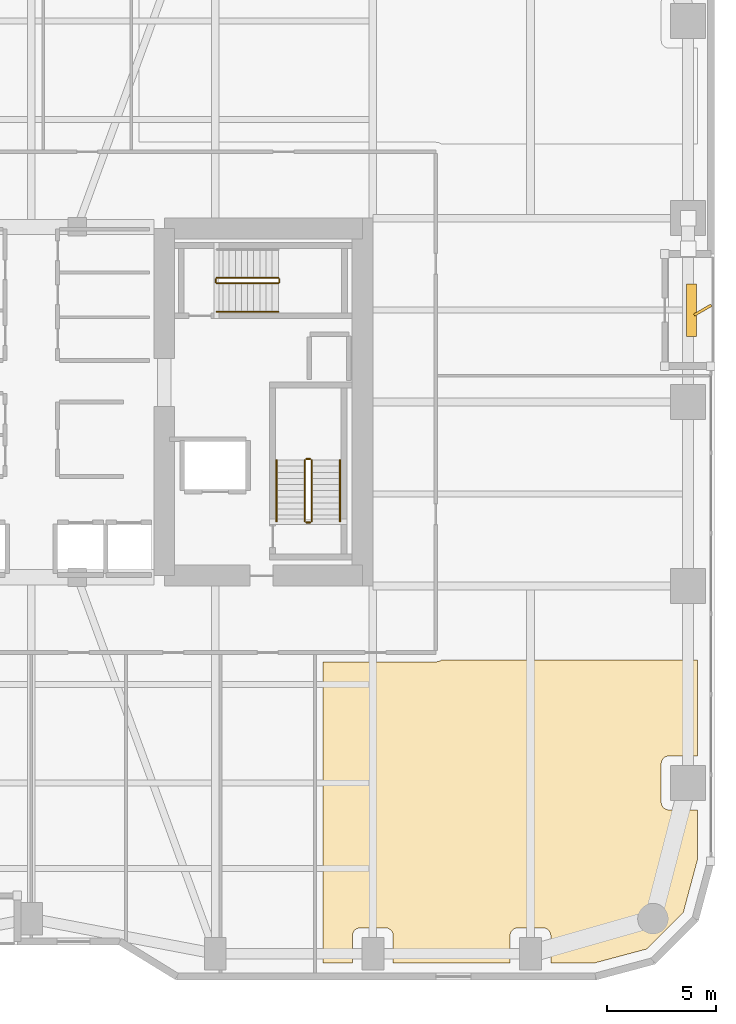
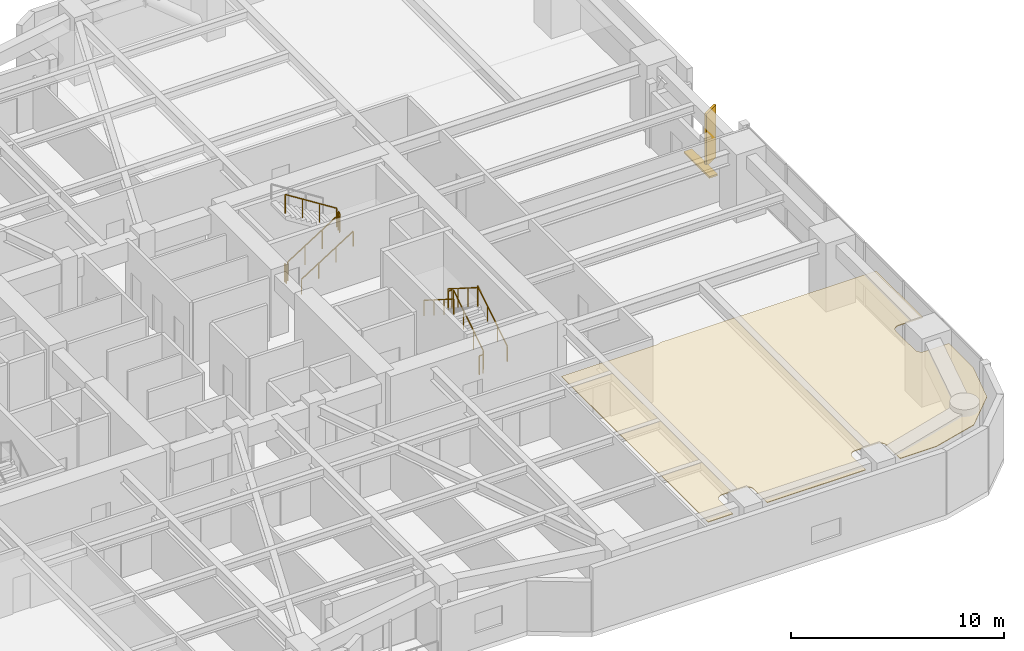
# One storey, part 27 of 28: 11 railings, 2 shading devices, 1 covering.
"""IFC4 building model written with IfcOpenShell, lengths in metres."""

from ifc_helpers import new_model, si_unit, direction, frame, origin, origin_2d, place, context, subcontext, project, spatial, polyline, rectangle, outline, extrude, material, layer, layer_set, type_object, element, save


model = new_model("IFC4")

# Units and contexts
model_context = context("Model", 3, precision=1e-05, world=origin(), true_north=direction((0.0, 1.0)))
body_context = subcontext(model_context, "Body", "Model", "MODEL_VIEW")
ifc_project = project(units=[si_unit("LENGTHUNIT", "METRE"), si_unit("AREAUNIT", "SQUARE_METRE"), si_unit("VOLUMEUNIT", "CUBIC_METRE"), si_unit("PLANEANGLEUNIT", "RADIAN"), si_unit("MASSUNIT", "GRAM", prefix="KILO")], contexts=[model_context])

# Site, building, storey
site_placement = place(None, origin())
site = spatial("IfcSite", under=ifc_project, at=site_placement, CompositionType="ELEMENT")
building_placement = place(site_placement, origin())
building = spatial("IfcBuilding", under=site, at=building_placement, Name="Kiyonajd Concourse Tower", CompositionType="ELEMENT")
storey_placement = place(building_placement, frame((0.0, 0.0, 60.60009765625)))
storey = spatial("IfcBuildingStorey", under=building, at=storey_placement, Name="L16", CompositionType="ELEMENT", Elevation=60.60009765625)

# Covering
ifc_material_1 = material(Name="Natural Oak Acoustic Timber Veneer", Category="wood")
ifc_layer = layer(ifc_material_1, 0.0400390625)
ifc_layer_set = layer_set([ifc_layer], Name="Natural Oak Acoustic Timber Veneer")
covering_type = type_object("IfcCoveringType", Name="CV-CLG-ACST", PredefinedType="CEILING", material=ifc_layer_set)
covering_placement = place(storey_placement, frame((0.0, 0.0, 3.4599609375)))
element("IfcCovering", 1, at=covering_placement, inside=storey, type_object=covering_type, Name="L16-47 Room Acoustic Ceiling", PredefinedType="CEILING", context=body_context, shape_type="SweptSolid", body=[
    extrude(outline(polyline([(66.722900390625, 24.2099609375), (78.429931640625, 24.2099609375), (78.429931640625, 19.830078125), (77.1201171875, 19.830078125), (77.052001953125, 19.822998046875), (76.986083984375, 19.802978515625), (76.926025390625, 19.77099609375), (76.84912109375, 19.701904296875), (76.81103515625, 19.64501953125), (76.784912109375, 19.58203125), (76.77001953125, 19.47998046875), (76.77001953125, 17.719970703125), (76.784912109375, 17.617919921875), (76.81103515625, 17.554931640625), (76.84912109375, 17.498046875), (76.89794921875, 17.448974609375), (76.955078125, 17.410888671875), (77.01806640625, 17.385009765625), (77.0859375, 17.3720703125), (78.429931640625, 17.3701171875), (78.429931640625, 15.10107421875), (77.785888671875, 12.697998046875), (76.10205078125, 11.013916015625), (73.698974609375, 10.3701171875), (71.72998046875, 10.3701171875), (71.72802734375, 11.6640625), (71.715087890625, 11.73193359375), (71.68896484375, 11.794921875), (71.626953125, 11.876953125), (71.544921875, 11.93896484375), (71.48193359375, 11.965087890625), (71.4140625, 11.97802734375), (70.18603515625, 11.97802734375), (70.117919921875, 11.965087890625), (70.054931640625, 11.93896484375), (69.972900390625, 11.876953125), (69.910888671875, 11.794921875), (69.876953125, 11.697998046875), (69.8701171875, 11.6298828125), (69.8701171875, 10.3701171875), (64.530029296875, 10.3701171875), (64.528076171875, 11.6640625), (64.514892578125, 11.73193359375), (64.489013671875, 11.794921875), (64.427001953125, 11.876953125), (64.344970703125, 11.93896484375), (64.281982421875, 11.965087890625), (64.214111328125, 11.97802734375), (63.02001953125, 11.97998046875), (62.91796875, 11.965087890625), (62.85498046875, 11.93896484375), (62.798095703125, 11.90087890625), (62.7490234375, 11.85205078125), (62.7109375, 11.794921875), (62.677001953125, 11.697998046875), (62.669921875, 11.6298828125), (62.669921875, 10.3701171875), (61.330078125, 10.3701171875), (61.330078125, 24.1298828125), (66.47509765625, 24.1298828125), (66.60498046875, 24.14990234375), (66.66796875, 24.176025390625), (66.722900390625, 24.2099609375)])), origin(), (0.0, 0.0, 1.0), 0.0400390625),
])

# Railings
ifc_material_2 = material(Name="Steel ASTM A500 Grade C", Category="steel")
railing_type_1 = type_object("IfcRailingType", Name="RL-GRD-STR", PredefinedType="GUARDRAIL", material=ifc_material_2)
railing_1_placement = place(storey_placement, frame((60.800048828125, 30.550048828125, 0.17724609375)))
element("IfcRailing", 2, at=railing_1_placement, inside=storey, type_object=railing_type_1, Name="L16 ST2 stair guard 1", PredefinedType="GUARDRAIL", context=body_context, shape_type="SweptSolid", body=[
    extrude(rectangle(XDim=0.048095703125, YDim=0.048095703125, at=origin_2d()), frame((0.0, 0.0, 1.076171875), z_axis=(0.0, 0.844908973607, 0.534910110503), x_axis=(-1.0, 0.0, 0.0)), (0.0, 0.0, 1.0), 3.31396484375),
    extrude(rectangle(XDim=0.0419921875, YDim=0.0419921875, at=origin_2d()), origin(), (0.0, 0.0, 1.0), 1.052001953125),
    extrude(rectangle(XDim=0.0419921875, YDim=0.0419921875, at=origin_2d()), frame((0.0, 0.933349609375, 0.5908203125)), (0.0, 0.0, 1.0), 1.052001953125),
    extrude(rectangle(XDim=0.0419921875, YDim=0.0419921875, at=origin_2d()), frame((0.0, 1.86669921875, 1.181884765625)), (0.0, 0.0, 1.0), 1.052001953125),
    extrude(rectangle(XDim=0.0419921875, YDim=0.0419921875, at=origin_2d()), frame((0.0, 2.800048828125, 1.772705078125)), (0.0, 0.0, 1.0), 1.052001953125),
])
railing_2_placement = place(storey_placement, frame((60.75, 33.39990234375, 1.949951171875)))
element("IfcRailing", 3, at=railing_2_placement, inside=storey, type_object=railing_type_1, Name="L16 ST2 stair guard 2", PredefinedType="GUARDRAIL", context=body_context, shape_type="SweptSolid", body=[
    extrude(rectangle(XDim=0.048095703125, YDim=0.048095703125, at=origin_2d()), frame((0.0, 0.0, 1.076171875), z_axis=(-1.0, 0.0, 0.0), x_axis=(0.0, -1.0, 0.0)), (0.0, 0.0, 1.0), 0.199951171875),
    extrude(rectangle(XDim=0.0419921875, YDim=0.0419921875, at=origin_2d()), origin(), (0.0, 0.0, 1.0), 1.052001953125),
    extrude(rectangle(XDim=0.0419921875, YDim=0.0419921875, at=origin_2d()), frame((-0.199951171875, 0.0, 0.0)), (0.0, 0.0, 1.0), 1.052001953125),
])
railing_3_placement = place(storey_placement, frame((60.5, 33.35009765625, 2.127197265625)))
element("IfcRailing", 4, at=railing_3_placement, inside=storey, type_object=railing_type_1, Name="L16 ST2 stair guard 3", PredefinedType="GUARDRAIL", context=body_context, shape_type="SweptSolid", body=[
    extrude(rectangle(XDim=0.048095703125, YDim=0.048095703125, at=origin_2d()), frame((0.0, 0.0, 1.076171875), z_axis=(0.0, -0.844908973607, 0.534910110503), x_axis=(1.0, 0.0, 0.0)), (0.0, 0.0, 1.0), 3.31396484375),
    extrude(rectangle(XDim=0.0419921875, YDim=0.0419921875, at=origin_2d()), origin(), (0.0, 0.0, 1.0), 1.052001953125),
    extrude(rectangle(XDim=0.0419921875, YDim=0.0419921875, at=origin_2d()), frame((0.0, -0.933349609375, 0.5908203125)), (0.0, 0.0, 1.0), 1.052001953125),
    extrude(rectangle(XDim=0.0419921875, YDim=0.0419921875, at=origin_2d()), frame((0.0, -1.86669921875, 1.181884765625)), (0.0, 0.0, 1.0), 1.052001953125),
    extrude(rectangle(XDim=0.0419921875, YDim=0.0419921875, at=origin_2d()), frame((0.0, -2.800048828125, 1.772705078125)), (0.0, 0.0, 1.0), 1.052001953125),
])
railing_4_placement = place(storey_placement, frame((60.75, 30.5, 0.0)))
element("IfcRailing", 5, at=railing_4_placement, inside=storey, type_object=railing_type_1, Name="L16 ST2 stair guard 4", PredefinedType="GUARDRAIL", context=body_context, shape_type="SweptSolid", body=[
    extrude(rectangle(XDim=0.048095703125, YDim=0.048095703125, at=origin_2d()), frame((0.0, 0.0, 1.076171875), z_axis=(-1.0, 0.0, 0.0), x_axis=(0.0, -1.0, 0.0)), (0.0, 0.0, 1.0), 0.199951171875),
    extrude(rectangle(XDim=0.0419921875, YDim=0.0419921875, at=origin_2d()), origin(), (0.0, 0.0, 1.0), 1.052001953125),
    extrude(rectangle(XDim=0.0419921875, YDim=0.0419921875, at=origin_2d()), frame((-0.199951171875, 0.0, 0.0)), (0.0, 0.0, 1.0), 1.052001953125),
])
railing_5_placement = place(storey_placement, frame((56.47998046875, 41.429931640625, 0.17724609375)))
element("IfcRailing", 6, at=railing_5_placement, inside=storey, type_object=railing_type_1, Name="L16 ST3 stair guard 1", PredefinedType="GUARDRAIL", context=body_context, shape_type="SweptSolid", body=[
    extrude(rectangle(XDim=0.048095703125, YDim=0.048095703125, at=origin_2d()), frame((0.0, 0.0, 1.076171875), z_axis=(0.844908973607, 0.0, 0.534910110503), x_axis=(0.0, 1.0, 0.0)), (0.0, 0.0, 1.0), 3.31396484375),
    extrude(rectangle(XDim=0.0419921875, YDim=0.0419921875, at=origin_2d()), origin(), (0.0, 0.0, 1.0), 1.052001953125),
    extrude(rectangle(XDim=0.0419921875, YDim=0.0419921875, at=origin_2d()), frame((0.933349609375, 0.0, 0.5908203125)), (0.0, 0.0, 1.0), 1.052001953125),
    extrude(rectangle(XDim=0.0419921875, YDim=0.0419921875, at=origin_2d()), frame((1.86669921875, 0.0, 1.181884765625)), (0.0, 0.0, 1.0), 1.052001953125),
    extrude(rectangle(XDim=0.0419921875, YDim=0.0419921875, at=origin_2d()), frame((2.800048828125, 0.0, 1.772705078125)), (0.0, 0.0, 1.0), 1.052001953125),
])
railing_6_placement = place(storey_placement, frame((59.330078125, 41.47998046875, 1.949951171875)))
element("IfcRailing", 7, at=railing_6_placement, inside=storey, type_object=railing_type_1, Name="L16 ST3 stair guard 2", PredefinedType="GUARDRAIL", context=body_context, shape_type="SweptSolid", body=[
    extrude(rectangle(XDim=0.048095703125, YDim=0.048095703125, at=origin_2d()), frame((0.0, 0.0, 1.076171875), z_axis=(0.0, 1.0, 0.0), x_axis=(-1.0, 0.0, 0.0)), (0.0, 0.0, 1.0), 0.14013671875),
    extrude(rectangle(XDim=0.0419921875, YDim=0.0419921875, at=origin_2d()), origin(), (0.0, 0.0, 1.0), 1.052001953125),
    extrude(rectangle(XDim=0.0419921875, YDim=0.0419921875, at=origin_2d()), frame((0.0, 0.14013671875, 0.0)), (0.0, 0.0, 1.0), 1.052001953125),
])
railing_7_placement = place(storey_placement, frame((59.280029296875, 41.669921875, 2.127197265625)))
element("IfcRailing", 8, at=railing_7_placement, inside=storey, type_object=railing_type_1, Name="L16 ST3 stair guard 3", PredefinedType="GUARDRAIL", context=body_context, shape_type="SweptSolid", body=[
    extrude(rectangle(XDim=0.048095703125, YDim=0.048095703125, at=origin_2d()), frame((0.0, 0.0, 1.076171875), z_axis=(-0.844908973607, 0.0, 0.534910110503), x_axis=(0.0, -1.0, 0.0)), (0.0, 0.0, 1.0), 3.31396484375),
    extrude(rectangle(XDim=0.0419921875, YDim=0.0419921875, at=origin_2d()), origin(), (0.0, 0.0, 1.0), 1.052001953125),
    extrude(rectangle(XDim=0.0419921875, YDim=0.0419921875, at=origin_2d()), frame((-0.933349609375, 0.0, 0.5908203125)), (0.0, 0.0, 1.0), 1.052001953125),
    extrude(rectangle(XDim=0.0419921875, YDim=0.0419921875, at=origin_2d()), frame((-1.86669921875, 0.0, 1.181884765625)), (0.0, 0.0, 1.0), 1.052001953125),
    extrude(rectangle(XDim=0.0419921875, YDim=0.0419921875, at=origin_2d()), frame((-2.800048828125, 0.0, 1.772705078125)), (0.0, 0.0, 1.0), 1.052001953125),
])
railing_8_placement = place(storey_placement, frame((56.429931640625, 41.47998046875, 0.0)))
element("IfcRailing", 9, at=railing_8_placement, inside=storey, type_object=railing_type_1, Name="L16 ST3 stair guard 4", PredefinedType="GUARDRAIL", context=body_context, shape_type="SweptSolid", body=[
    extrude(rectangle(XDim=0.048095703125, YDim=0.048095703125, at=origin_2d()), frame((0.0, 0.0, 1.076171875), z_axis=(0.0, 1.0, 0.0), x_axis=(-1.0, 0.0, 0.0)), (0.0, 0.0, 1.0), 0.14013671875),
    extrude(rectangle(XDim=0.0419921875, YDim=0.0419921875, at=origin_2d()), origin(), (0.0, 0.0, 1.0), 1.052001953125),
    extrude(rectangle(XDim=0.0419921875, YDim=0.0419921875, at=origin_2d()), frame((0.0, 0.14013671875, 0.0)), (0.0, 0.0, 1.0), 1.052001953125),
])
ifc_material_3 = material(Name="Brushed Stainless Steel Cab Assembly", Category="steel")
railing_type_2 = type_object("IfcRailingType", Name="RL-HND-900", PredefinedType="HANDRAIL", material=ifc_material_3)
railing_9_placement = place(storey_placement, frame((62.10009765625, 30.550048828125, 0.17724609375)))
element("IfcRailing", 10, at=railing_9_placement, inside=storey, type_object=railing_type_2, Name="L16 ST2 stair handrail 1", PredefinedType="HANDRAIL", context=body_context, shape_type="SweptSolid", body=[
    extrude(rectangle(XDim=0.048095703125, YDim=0.048095703125, at=origin_2d()), frame((0.0, 0.0, 0.8759765625), z_axis=(0.0, 0.844908973607, 0.534910110503), x_axis=(-1.0, 0.0, 0.0)), (0.0, 0.0, 1.0), 3.31396484375),
    extrude(rectangle(XDim=0.0419921875, YDim=0.0419921875, at=origin_2d()), origin(), (0.0, 0.0, 1.0), 0.851806640625),
    extrude(rectangle(XDim=0.0419921875, YDim=0.0419921875, at=origin_2d()), frame((0.0, 0.933349609375, 0.5908203125)), (0.0, 0.0, 1.0), 0.851806640625),
    extrude(rectangle(XDim=0.0419921875, YDim=0.0419921875, at=origin_2d()), frame((0.0, 1.86669921875, 1.181884765625)), (0.0, 0.0, 1.0), 0.851806640625),
    extrude(rectangle(XDim=0.0419921875, YDim=0.0419921875, at=origin_2d()), frame((0.0, 2.800048828125, 1.772705078125)), (0.0, 0.0, 1.0), 0.851806640625),
])
railing_10_placement = place(storey_placement, frame((59.199951171875, 33.35009765625, 2.127197265625)))
element("IfcRailing", 11, at=railing_10_placement, inside=storey, type_object=railing_type_2, Name="L16 ST2 stair handrail 2", PredefinedType="HANDRAIL", context=body_context, shape_type="SweptSolid", body=[
    extrude(rectangle(XDim=0.048095703125, YDim=0.048095703125, at=origin_2d()), frame((0.0, 0.0, 0.8759765625), z_axis=(0.0, -0.844908973607, 0.534910110503), x_axis=(1.0, 0.0, 0.0)), (0.0, 0.0, 1.0), 3.31396484375),
    extrude(rectangle(XDim=0.0419921875, YDim=0.0419921875, at=origin_2d()), origin(), (0.0, 0.0, 1.0), 0.851806640625),
    extrude(rectangle(XDim=0.0419921875, YDim=0.0419921875, at=origin_2d()), frame((0.0, -0.933349609375, 0.5908203125)), (0.0, 0.0, 1.0), 0.851806640625),
    extrude(rectangle(XDim=0.0419921875, YDim=0.0419921875, at=origin_2d()), frame((0.0, -1.86669921875, 1.181884765625)), (0.0, 0.0, 1.0), 0.851806640625),
    extrude(rectangle(XDim=0.0419921875, YDim=0.0419921875, at=origin_2d()), frame((0.0, -2.800048828125, 1.772705078125)), (0.0, 0.0, 1.0), 0.851806640625),
])
railing_11_placement = place(storey_placement, frame((56.47998046875, 40.1298828125, 0.17724609375)))
element("IfcRailing", 12, at=railing_11_placement, inside=storey, type_object=railing_type_2, Name="L16 ST3 stair handrail 1", PredefinedType="HANDRAIL", context=body_context, shape_type="SweptSolid", body=[
    extrude(rectangle(XDim=0.048095703125, YDim=0.048095703125, at=origin_2d()), frame((0.0, 0.0, 0.8759765625), z_axis=(0.844908973607, 0.0, 0.534910110503), x_axis=(0.0, 1.0, 0.0)), (0.0, 0.0, 1.0), 3.31396484375),
    extrude(rectangle(XDim=0.0419921875, YDim=0.0419921875, at=origin_2d()), origin(), (0.0, 0.0, 1.0), 0.851806640625),
    extrude(rectangle(XDim=0.0419921875, YDim=0.0419921875, at=origin_2d()), frame((0.933349609375, 0.0, 0.5908203125)), (0.0, 0.0, 1.0), 0.851806640625),
    extrude(rectangle(XDim=0.0419921875, YDim=0.0419921875, at=origin_2d()), frame((1.86669921875, 0.0, 1.181884765625)), (0.0, 0.0, 1.0), 0.851806640625),
    extrude(rectangle(XDim=0.0419921875, YDim=0.0419921875, at=origin_2d()), frame((2.800048828125, 0.0, 1.772705078125)), (0.0, 0.0, 1.0), 0.851806640625),
])

# Shading devices
ifc_material_4 = material(Name="Precast concrete C50/60", Category="concrete")
shading_device_type_1 = type_object("IfcShadingDeviceType", Name="SH-FIN-900", PredefinedType="USERDEFINED", material=ifc_material_4)
shading_device_1_placement = place(storey_placement, frame((78.669921875, 40.199951171875, 0.0), z_axis=(0.0, 0.0, 1.0), x_axis=(0.866025403784, 0.5, 0.0)))
element("IfcShadingDevice", 13, at=shading_device_1_placement, inside=storey, type_object=shading_device_type_1, Name="L16 Angled Koshi Solar Fin LOG-E", ObjectType="FIN", PredefinedType="USERDEFINED", context=body_context, shape_type="SweptSolid", body=[
    extrude(rectangle(XDim=0.89990234375, YDim=0.1201171875, at=origin_2d()), origin(), (0.0, 0.0, 1.0), 3.0),
])
ifc_material_5 = material(Name="Thermally Broken Anodised Aluminium", Category="aluminium")
shading_device_type_2 = type_object("IfcShadingDeviceType", Name="SH-LVR-600", PredefinedType="JALOUSIE", material=ifc_material_5)
shading_device_2_placement = place(storey_placement, frame((78.14990234375, 40.199951171875, -0.000244140625), z_axis=(0.0, 0.0, 1.0), x_axis=(0.0, 1.0, 0.0)))
element("IfcShadingDevice", 14, at=shading_device_2_placement, inside=storey, type_object=shading_device_type_2, Name="L16 Loggia Threshold Louver LOG-E", PredefinedType="JALOUSIE", context=body_context, shape_type="SweptSolid", body=[
    extrude(rectangle(XDim=2.39990234375, YDim=0.449951171875, at=origin_2d()), origin(), (0.0, 0.0, 1.0), 0.10009765625),
])

save(model, "model.ifc")
